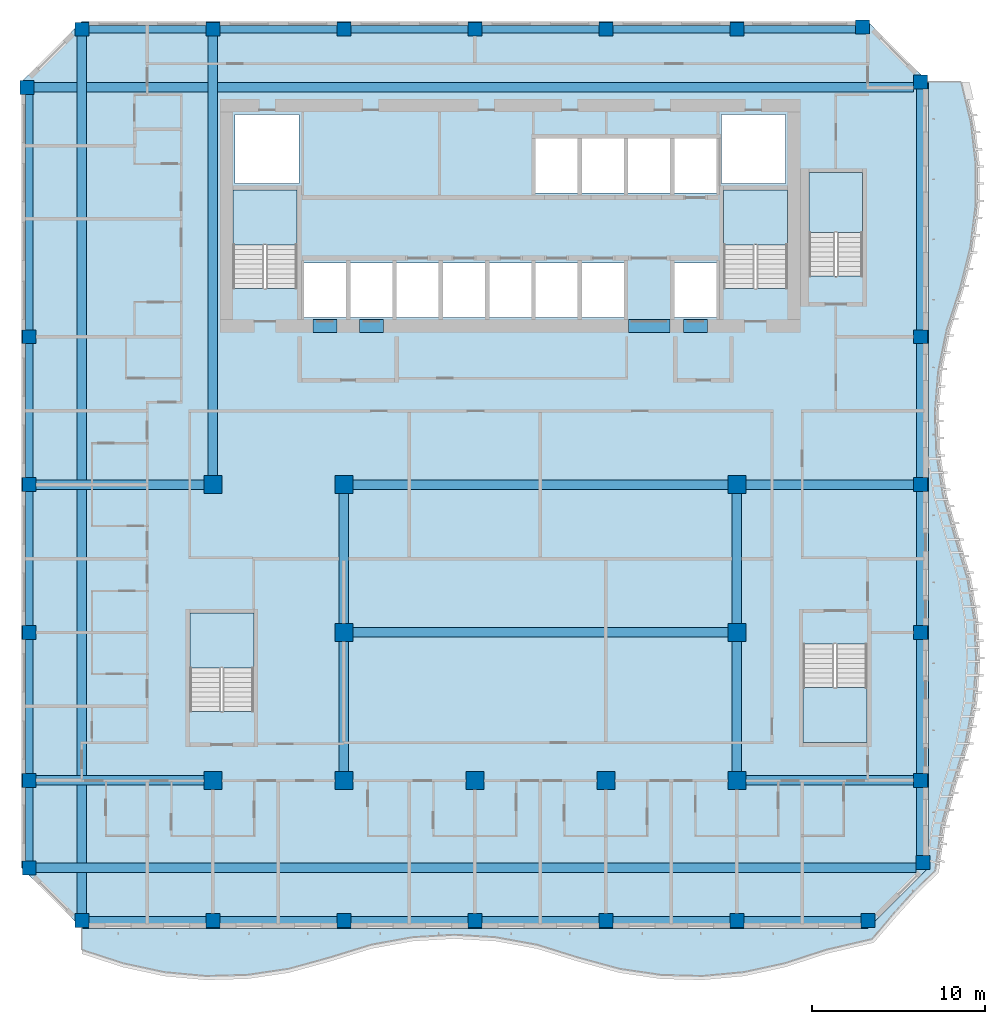
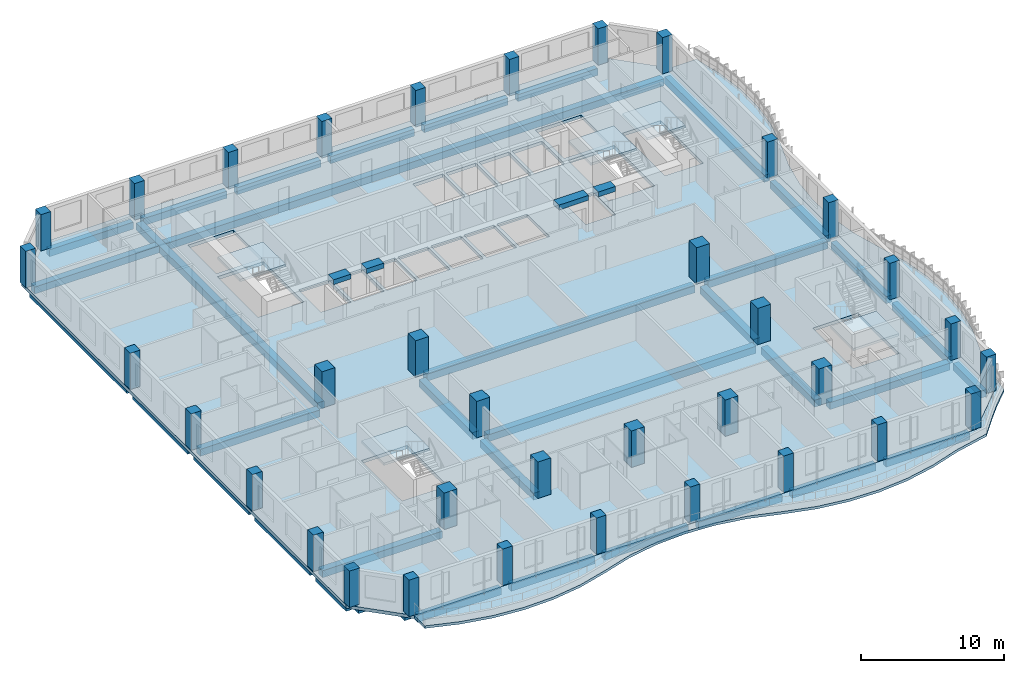
# One storey, part 1 of 22: 40 beams, 36 columns, 7 slabs, 5 elements without a shape of their own.
"""IFC4 building model written with IfcOpenShell, lengths in metres."""

import ifcopenshell
import ifcopenshell.guid

model = None  # the IFC model being written
_history = None  # IfcOwnerHistory: only IFC2X3 demands one
_inside = {}  # id of a spatial element -> (the spatial element, [elements in it])
_under = {}  # id of a project, library or spatial element -> (it, [spatial elements below it])
_declared = {}  # id of a project -> (the project, [libraries it declares])
_typed = {}  # id of a type object -> (the type object, [elements of that type])
_made_of = {}  # id of a material, layer set ... -> (it, [elements and type objects made of it])


def new_model(schema):
    """Start an empty IFC model of exactly this schema.

    Asked for "IFC4X3", IfcOpenShell would pick the latest addendum, in which some entities
    have other attributes; the version numbers below select the first issue.
    IFC2X3 requires an IfcOwnerHistory on every rooted entity: one is made here for all.
    """
    global model, _history
    if schema == "IFC4X3":
        model = ifcopenshell.file(schema_version=(4, 3, 0, 0))
    else:
        model = ifcopenshell.file(schema=schema)
    _inside.clear()
    _under.clear()
    _declared.clear()
    _typed.clear()
    _made_of.clear()
    _history = None
    if model.schema == "IFC2X3":
        org = make("IfcOrganization", Name="unknown")
        user = make(
            "IfcPersonAndOrganization",
            ThePerson=make("IfcPerson", FamilyName="unknown"),
            TheOrganization=org,
        )
        app = make(
            "IfcApplication",
            ApplicationDeveloper=org,
            Version="unknown",
            ApplicationFullName="unknown",
            ApplicationIdentifier="unknown",
        )
        _history = make(
            "IfcOwnerHistory",
            OwningUser=user,
            OwningApplication=app,
            ChangeAction="ADDED",
            CreationDate=0,
        )
    return model


def make(cls, **values):
    """One entity of the class cls with the attributes given. An attribute that is None is left unset."""
    return model.create_entity(
        cls, **{name: value for name, value in values.items() if value is not None}
    )


def rooted(cls, **values):
    """An entity with a GlobalId (a new one), such as an element, a storey or a relation."""
    return make(cls, GlobalId=ifcopenshell.guid.new(), OwnerHistory=_history, **values)


def si_unit(unit_type, name, prefix=None):
    """IfcSIUnit, for example si_unit("LENGTHUNIT", "METRE", prefix="MILLI")."""
    return make("IfcSIUnit", UnitType=unit_type, Prefix=prefix, Name=name)


def assignment(units):
    """IfcUnitAssignment: the units of a project."""
    return None if units is None else make("IfcUnitAssignment", Units=units)


def point(xyz):
    """IfcCartesianPoint."""
    return None if xyz is None else make("IfcCartesianPoint", Coordinates=xyz)


def direction(xyz):
    """IfcDirection."""
    return None if xyz is None else make("IfcDirection", DirectionRatios=xyz)


def frame(location, z_axis=None, x_axis=None):
    """IfcAxis2Placement3D, a coordinate frame: its origin and axes. An axis left out is left unset."""
    return make(
        "IfcAxis2Placement3D",
        Location=point(location),
        Axis=direction(z_axis),
        RefDirection=direction(x_axis),
    )


def frame_2d(location, x_axis=None):
    """IfcAxis2Placement2D, a coordinate frame in the plane: its origin and x axis."""
    return make(
        "IfcAxis2Placement2D", Location=point(location), RefDirection=direction(x_axis)
    )


def origin():
    """The frame at (0, 0, 0) with its axes left unset."""
    return frame((0.0, 0.0, 0.0))


def origin_2d():
    """The frame at (0, 0) in the plane with its x axis left unset."""
    return frame_2d((0.0, 0.0))


def place(relative_to, where):
    """IfcLocalPlacement: puts the frame where relative to a parent placement (None: the world)."""
    return make(
        "IfcLocalPlacement", PlacementRelTo=relative_to, RelativePlacement=where
    )


def context(
    kind, dimensions, precision=None, world=None, true_north=None, identifier=None
):
    """IfcGeometricRepresentationContext, for example the 3D "Model" context."""
    return make(
        "IfcGeometricRepresentationContext",
        ContextIdentifier=identifier,
        ContextType=kind,
        CoordinateSpaceDimension=dimensions,
        Precision=precision,
        WorldCoordinateSystem=world,
        TrueNorth=true_north,
    )


def subcontext(parent, identifier, kind, view, scale=None):
    """IfcGeometricRepresentationSubContext, for example "Body" below "Model"."""
    return make(
        "IfcGeometricRepresentationSubContext",
        ContextIdentifier=identifier,
        ContextType=kind,
        ParentContext=parent,
        TargetScale=scale,
        TargetView=view,
    )


def project(units=None, contexts=None):
    """IfcProject with its units and contexts."""
    return rooted(
        "IfcProject",
        Name="project",
        RepresentationContexts=contexts,
        UnitsInContext=assignment(units),
    )


def spatial(cls, under=None, at=None, **own):
    """A site, building, storey or space (cls), placed at a placement, below another one or the project."""
    s = rooted(cls, ObjectPlacement=at, **own)
    if under is not None:
        _under.setdefault(under.id(), (under, []))[1].append(s)
    return s


def polyline(points):
    """IfcPolyline through the points."""
    return make("IfcPolyline", Points=[point(p) for p in points])


def profile(cls, at=None, kind="AREA", **sizes):
    """A parametric profile (cls). Its sizes go by their IFC names, for example OverallWidth=200.0."""
    return make(cls, ProfileType=kind, Position=at, **sizes)


def rectangle(**sizes):
    """IfcRectangleProfileDef."""
    return profile("IfcRectangleProfileDef", **sizes)


def outline(outer, holes=None, kind="AREA"):
    """IfcArbitraryClosedProfileDef: a profile drawn as a closed curve; with holes, ...WithVoids."""
    if holes is None:
        return make("IfcArbitraryClosedProfileDef", ProfileType=kind, OuterCurve=outer)
    return make(
        "IfcArbitraryProfileDefWithVoids",
        ProfileType=kind,
        OuterCurve=outer,
        InnerCurves=holes,
    )


def extrude(swept, where, along, depth):
    """IfcExtrudedAreaSolid: the profile swept, set in the frame where, extruded along a direction by depth."""
    return make(
        "IfcExtrudedAreaSolid",
        SweptArea=swept,
        Position=where,
        ExtrudedDirection=direction(along),
        Depth=depth,
    )


def shape(context_of_items, identifier, shape_type, items):
    """IfcShapeRepresentation: the items that make up one representation, for example the "Body"."""
    return make(
        "IfcShapeRepresentation",
        ContextOfItems=context_of_items,
        RepresentationIdentifier=identifier,
        RepresentationType=shape_type,
        Items=items,
    )


def source(mapping_origin, context_of_items, identifier, shape_type, items):
    """IfcRepresentationMap: a shape defined once, which mapped items show again and again."""
    return make(
        "IfcRepresentationMap",
        MappingOrigin=mapping_origin,
        MappedRepresentation=shape(context_of_items, identifier, shape_type, items),
    )


def transform(
    local_origin,
    x_axis=None,
    y_axis=None,
    z_axis=None,
    scale=None,
    scale2=None,
    scale3=None,
    uniform=True,
):
    """IfcCartesianTransformationOperator3D, or its non-uniform kind. x_axis, y_axis, z_axis: its Axis1, 2, 3."""
    if uniform:
        return make(
            "IfcCartesianTransformationOperator3D",
            Axis1=direction(x_axis),
            Axis2=direction(y_axis),
            LocalOrigin=point(local_origin),
            Scale=scale,
            Axis3=direction(z_axis),
        )
    return make(
        "IfcCartesianTransformationOperator3DnonUniform",
        Axis1=direction(x_axis),
        Axis2=direction(y_axis),
        LocalOrigin=point(local_origin),
        Scale=scale,
        Axis3=direction(z_axis),
        Scale2=scale2,
        Scale3=scale3,
    )


def mapped(mapping_source, mapping_target):
    """IfcMappedItem: shows the shape of a source again, moved by a transform."""
    return make(
        "IfcMappedItem", MappingSource=mapping_source, MappingTarget=mapping_target
    )


def material(Name=None, Category=None):
    """IfcMaterial."""
    return make("IfcMaterial", Name=Name, Category=Category)


def layer(
    of_material, thickness, ventilated=None, Name=None, Category=None, Priority=None
):
    """IfcMaterialLayer: one layer of a wall or slab, of a material (None: an air gap)."""
    return make(
        "IfcMaterialLayer",
        Material=of_material,
        LayerThickness=thickness,
        IsVentilated=ventilated,
        Name=Name,
        Category=Category,
        Priority=Priority,
    )


def layer_set(layers, Name=None):
    """IfcMaterialLayerSet."""
    return make("IfcMaterialLayerSet", MaterialLayers=layers, LayerSetName=Name)


def material_profile(
    of_material, cross_section, Name=None, Category=None, Priority=None
):
    """IfcMaterialProfile: a cross section and its material."""
    return make(
        "IfcMaterialProfile",
        Name=Name,
        Material=of_material,
        Profile=cross_section,
        Priority=Priority,
        Category=Category,
    )


def profile_set(profiles, Name=None, composite=None):
    """IfcMaterialProfileSet."""
    return make(
        "IfcMaterialProfileSet",
        Name=Name,
        MaterialProfiles=profiles,
        CompositeProfile=composite,
    )


def made_of(thing, what):
    """Note that an element or type object is made of a material, layer set ...; save() writes the relation."""
    if what is not None:
        _made_of.setdefault(what.id(), (what, []))[1].append(thing)
    return thing


def type_object(cls, material=None, **own):
    """A type object (cls), such as IfcWallType, which elements share."""
    return made_of(rooted(cls, **own), material)


def element(
    cls,
    number,
    at=None,
    inside=None,
    cuts=None,
    type_object=None,
    material=None,
    context=None,
    identifier="Body",
    shape_type=None,
    held_by="IfcProductDefinitionShape",
    body=None,
    shapes=None,
    **own,
):
    """One element of the class cls, such as IfcWall. Its Tag is "e" and its number.

    at: its placement. inside: the storey or other place that contains it. cuts: it is an
    opening in that element (IfcRelVoidsElement). A single representation is given by context,
    identifier, shape_type and body (its items); several are given by shapes. held_by: the class
    of the entity that holds the representations. save() writes the other relations.
    """
    e = rooted(cls, Tag="e%d" % number, ObjectPlacement=at, **own)
    if body is not None:
        shapes = [shape(context, identifier, shape_type, body)]
    if shapes is not None:
        e.Representation = make(held_by, Representations=shapes)
    if inside is not None:
        _inside.setdefault(inside.id(), (inside, []))[1].append(e)
    if cuts is not None:
        rooted(
            "IfcRelVoidsElement", RelatingBuildingElement=cuts, RelatedOpeningElement=e
        )
    if type_object is not None:
        _typed.setdefault(type_object.id(), (type_object, []))[1].append(e)
    return made_of(e, material)


def aggregate(whole, parts):
    """IfcRelAggregates: a whole, such as a stair, and the parts it consists of."""
    return rooted("IfcRelAggregates", RelatingObject=whole, RelatedObjects=parts)


def save(model, path):
    """Write the relations noted so far, then the file.

    IfcRelAggregates (storeys below a building ...), IfcRelContainedInSpatialStructure (elements
    in a storey), IfcRelDefinesByType, IfcRelAssociatesMaterial and IfcRelDeclares: one each for
    every whole, place, type object, material and project.
    """
    for whole, parts in _under.values():
        aggregate(whole, parts)
    for where, things in _inside.values():
        rooted(
            "IfcRelContainedInSpatialStructure",
            RelatedElements=things,
            RelatingStructure=where,
        )
    for kind, things in _typed.values():
        rooted("IfcRelDefinesByType", RelatedObjects=things, RelatingType=kind)
    for what, things in _made_of.values():
        rooted("IfcRelAssociatesMaterial", RelatedObjects=things, RelatingMaterial=what)
    for by, libraries in _declared.values():
        rooted("IfcRelDeclares", RelatingContext=by, RelatedDefinitions=libraries)
    model.write(path)


model = new_model("IFC4")

# Units and contexts
model_context = context("Model", 3, precision=1e-05, world=origin(), true_north=direction((0.0, 1.0)))
body_context = subcontext(model_context, "Body", "Model", "MODEL_VIEW")
ifc_project = project(units=[si_unit("LENGTHUNIT", "METRE"), si_unit("AREAUNIT", "SQUARE_METRE"), si_unit("VOLUMEUNIT", "CUBIC_METRE"), si_unit("PLANEANGLEUNIT", "RADIAN"), si_unit("MASSUNIT", "GRAM", prefix="KILO")], contexts=[model_context])

# Site, building, storey
site_placement = place(None, origin())
site = spatial("IfcSite", under=ifc_project, at=site_placement, CompositionType="ELEMENT")
building_placement = place(site_placement, origin())
building = spatial("IfcBuilding", under=site, at=building_placement, Name="Kilnfold Tower and Market Hall", CompositionType="ELEMENT")
storey_placement = place(building_placement, frame((0.0, 0.0, 188.89990234375)))
storey = spatial("IfcBuildingStorey", under=building, at=storey_placement, Name="L45", CompositionType="ELEMENT", Elevation=188.89990234375)

# Columns
ifc_material_1 = material(Name="Concrete C70", Category="concrete")
ifc_material_profile_1 = material_profile(ifc_material_1, rectangle(XDim=0.800048828125, YDim=0.800048828125, at=origin_2d()), Name="RC 800x800")
ifc_profile_set_1 = profile_set([ifc_material_profile_1], Name="Concrete C70")
column_type_1 = type_object("IfcColumnType", Name="COLUMN 800X800 C70", PredefinedType="COLUMN", material=ifc_profile_set_1)
shared_shape_1 = source(origin(), body_context, "Body", "SweptSolid", [
    extrude(rectangle(XDim=0.800048828125, YDim=0.800048828125, at=origin_2d()), origin(), (0.0, 0.0, 1.0), 3.1201171875),
])
for number, where, z_axis, x_axis, name in (
    (1, (-26.931884765625, 22.431884765625, 0.0), (0.0, 0.0, 1.0), (1.0, 0.0, 0.0), "Column C-B5-1H"),
    (2, (-26.800048828125, -22.75, 0.0), (0.0, 0.0, 1.0), (1.0, 0.0, 0.0), "Column C-B5-1B"),
    (3, (-26.800048828125, -17.6875, 0.0), (0.0, 0.0, 1.0), (1.0, 0.0, 0.0), "Column C-B5-1C"),
    (4, (-26.800048828125, -9.125, 0.0), (0.0, 0.0, 1.0), (1.0, 0.0, 0.0), "Column C-B5-1D"),
    (5, (-26.800048828125, -0.5625, 0.0), (0.0, 0.0, 1.0), (1.0, 0.0, 0.0), "Column C-B5-1E"),
    (6, (-26.800048828125, 8.0, 0.0), (0.0, 0.0, 1.0), (1.0, 0.0, 0.0), "Column C-B5-1F"),
    (7, (-23.75, -25.800048828125, 0.0), (0.0, 0.0, 1.0), (1.0, 0.0, 0.0), "Column C-B5-2A"),
    (8, (-23.75, 25.800048828125, 0.0), (0.0, 0.0, 1.0), (1.0, 0.0, 0.0), "Column C-B5-2I"),
    (9, (-16.166748046875, -25.800048828125, 0.0), (0.0, 0.0, 1.0), (1.0, 0.0, 0.0), "Column C-B5-3A"),
    (10, (-16.166748046875, 25.800048828125, 0.0), (0.0, 0.0, 1.0), (1.0, 0.0, 0.0), "Column C-B5-3I"),
    (11, (-8.583251953125, -25.800048828125, 0.0), (0.0, 0.0, 1.0), (1.0, 0.0, 0.0), "Column C-B5-4A"),
    (12, (-8.583251953125, 25.800048828125, 0.0), (0.0, 0.0, 1.0), (1.0, 0.0, 0.0), "Column C-B5-4I"),
    (13, (-1.0, -25.800048828125, 0.0), (0.0, 0.0, 1.0), (1.0, 0.0, 0.0), "Column C-B5-5A"),
    (14, (-1.0, 25.800048828125, 0.0), (0.0, 0.0, 1.0), (1.0, 0.0, 0.0), "Column C-B5-5I"),
    (15, (6.583251953125, -25.800048828125, 0.0), (0.0, 0.0, 1.0), (1.0, 0.0, 0.0), "Column C-B5-6A"),
    (16, (6.583251953125, 25.800048828125, 0.0), (0.0, 0.0, 1.0), (1.0, 0.0, 0.0), "Column C-B5-6I"),
    (17, (14.166748046875, -25.800048828125, 0.0), (0.0, 0.0, 1.0), (1.0, 0.0, 0.0), "Column C-B5-7A"),
    (18, (14.166748046875, 25.800048828125, 0.0), (0.0, 0.0, 1.0), (1.0, 0.0, 0.0), "Column C-B5-7I"),
    (19, (21.431884765625, 25.931884765625, 0.0), (0.0, 0.0, 1.0), (1.0, 0.0, 0.0), "Column C-B5-8I"),
    (20, (21.75, -25.800048828125, 0.0), (0.0, 0.0, 1.0), (1.0, 0.0, 0.0), "Column C-B5-8A"),
    (21, (24.800048828125, -17.6875, 0.0), (0.0, 0.0, 1.0), (1.0, 0.0, 0.0), "Column C-B5-9C"),
    (22, (24.800048828125, -9.125, 0.0), (0.0, 0.0, 1.0), (1.0, 0.0, 0.0), "Column C-B5-9D"),
    (23, (24.800048828125, -0.5625, 0.0), (0.0, 0.0, 1.0), (1.0, 0.0, 0.0), "Column C-B5-9E"),
    (24, (24.800048828125, 8.0, 0.0), (0.0, 0.0, 1.0), (1.0, 0.0, 0.0), "Column C-B5-9F"),
    (25, (24.800048828125, 22.75, 0.0), (0.0, 0.0, 1.0), (1.0, 0.0, 0.0), "Column C-B5-9H"),
    (26, (24.931884765625, -22.431884765625, 0.0), (0.0, 0.0, 1.0), (1.0, 0.0, 0.0), "Column C-B5-9B"),
):
    element("IfcColumn", number, at=place(storey_placement, frame(where, z_axis=z_axis, x_axis=x_axis)), inside=storey, type_object=column_type_1, Name=name, PredefinedType="COLUMN", context=body_context, shape_type="MappedRepresentation", body=[
        mapped(shared_shape_1, transform((0.0, 0.0, 0.0))),
    ])
ifc_material_2 = material(Name="Concrete C70", Category="concrete")
ifc_material_profile_2 = material_profile(ifc_material_2, rectangle(XDim=1.050048828125, YDim=1.050048828125, at=origin_2d()), Name="RC 1050x1050")
ifc_profile_set_2 = profile_set([ifc_material_profile_2], Name="Concrete C70")
column_type_2 = type_object("IfcColumnType", Name="COLUMN 1050X1050 C70", PredefinedType="COLUMN", material=ifc_profile_set_2)
shared_shape_2 = source(origin(), body_context, "Body", "SweptSolid", [
    extrude(rectangle(XDim=1.050048828125, YDim=1.050048828125, at=origin_2d()), origin(), (0.0, 0.0, 1.0), 3.1201171875),
])
for number, where, z_axis, x_axis, name in (
    (27, (-16.166748046875, -17.6875, 0.0), (0.0, 0.0, 1.0), (1.0, 0.0, 0.0), "Column C-B5-3C"),
    (28, (-16.166748046875, -0.5625, 0.0), (0.0, 0.0, 1.0), (1.0, 0.0, 0.0), "Column C-B5-3E"),
    (29, (-8.583251953125, -17.6875, 0.0), (0.0, 0.0, 1.0), (1.0, 0.0, 0.0), "Column C-B5-4C"),
    (30, (-8.583251953125, -9.125, 0.0), (0.0, 0.0, 1.0), (1.0, 0.0, 0.0), "Column C-B5-4D"),
    (31, (-8.583251953125, -0.5625, 0.0), (0.0, 0.0, 1.0), (1.0, 0.0, 0.0), "Column C-B5-4E"),
    (32, (-1.0, -17.6875, 0.0), (0.0, 0.0, 1.0), (1.0, 0.0, 0.0), "Column C-B5-5C"),
    (33, (6.583251953125, -17.6875, 0.0), (0.0, 0.0, 1.0), (1.0, 0.0, 0.0), "Column C-B5-6C"),
    (34, (14.166748046875, -17.6875, 0.0), (0.0, 0.0, 1.0), (1.0, 0.0, 0.0), "Column C-B5-7C"),
    (35, (14.166748046875, -9.125, 0.0), (0.0, 0.0, 1.0), (1.0, 0.0, 0.0), "Column C-B5-7D"),
    (36, (14.166748046875, -0.5625, 0.0), (0.0, 0.0, 1.0), (1.0, 0.0, 0.0), "Column C-B5-7E"),
):
    element("IfcColumn", number, at=place(storey_placement, frame(where, z_axis=z_axis, x_axis=x_axis)), inside=storey, type_object=column_type_2, Name=name, PredefinedType="COLUMN", context=body_context, shape_type="MappedRepresentation", body=[
        mapped(shared_shape_2, transform((0.0, 0.0, 0.0))),
    ])

# Beams
ifc_material_3 = material(Name="Concrete C45", Category="concrete")
ifc_material_profile_3 = material_profile(ifc_material_3, rectangle(XDim=0.449951171875, YDim=0.60009765625, at=origin_2d()), Name="RC 450x600")
ifc_profile_set_3 = profile_set([ifc_material_profile_3], Name="Concrete C45")
beam_type_1 = type_object("IfcBeamType", Name="EDGE BEAM 450X600 C45", PredefinedType="BEAM", material=ifc_profile_set_3)
shared_shape_3 = source(origin(), body_context, "Body", "SweptSolid", [
    extrude(rectangle(XDim=0.449951171875, YDim=0.60009765625, at=origin_2d()), origin(), (0.0, 0.0, 1.0), 6.783447265625),
])
for number, where, z_axis, x_axis, name in (
    (37, (-23.35009765625, -25.800048828125, -0.579833984375), (1.0, 0.0, 0.0), (0.0, 1.0, 0.0), "Beam EB600-B5.45"),
    (38, (-8.183349609375, -25.800048828125, -0.579833984375), (1.0, 0.0, 0.0), (0.0, 1.0, 0.0), "Beam EB600-B5.47"),
    (39, (-0.60009765625, -25.800048828125, -0.579833984375), (1.0, 0.0, 0.0), (0.0, 1.0, 0.0), "Beam EB600-B5.48"),
    (40, (14.566650390625, -25.800048828125, -0.579833984375), (1.0, 0.0, 0.0), (0.0, 1.0, 0.0), "Beam EB600-B5.50"),
    (41, (-23.35009765625, 25.800048828125, -0.579833984375), (1.0, 0.0, 0.0), (0.0, 1.0, 0.0), "Beam EB600-B5.59"),
    (42, (-8.183349609375, 25.800048828125, -0.579833984375), (1.0, 0.0, 0.0), (0.0, 1.0, 0.0), "Beam EB600-B5.61"),
    (43, (-0.60009765625, 25.800048828125, -0.579833984375), (1.0, 0.0, 0.0), (0.0, 1.0, 0.0), "Beam EB600-B5.62"),
):
    element("IfcBeam", number, at=place(storey_placement, frame(where, z_axis=z_axis, x_axis=x_axis)), inside=storey, type_object=beam_type_1, Name=name, PredefinedType="BEAM", context=body_context, shape_type="MappedRepresentation", body=[
        mapped(shared_shape_3, transform((0.0, 0.0, 0.0))),
    ])
shared_shape_4 = source(origin(), body_context, "Body", "SweptSolid", [
    extrude(rectangle(XDim=0.449951171875, YDim=0.60009765625, at=origin_2d()), origin(), (0.0, 0.0, 1.0), 6.783203125),
])
for number, where, z_axis, x_axis, name in (
    (44, (-15.7666015625, -25.800048828125, -0.579833984375), (1.0, 0.0, 0.0), (0.0, 1.0, 0.0), "Beam EB600-B5.46"),
    (45, (6.9833984375, -25.800048828125, -0.579833984375), (1.0, 0.0, 0.0), (0.0, 1.0, 0.0), "Beam EB600-B5.49"),
    (46, (-15.7666015625, 25.800048828125, -0.579833984375), (1.0, 0.0, 0.0), (0.0, 1.0, 0.0), "Beam EB600-B5.60"),
    (47, (6.9833984375, 25.800048828125, -0.579833984375), (1.0, 0.0, 0.0), (0.0, 1.0, 0.0), "Beam EB600-B5.63"),
):
    element("IfcBeam", number, at=place(storey_placement, frame(where, z_axis=z_axis, x_axis=x_axis)), inside=storey, type_object=beam_type_1, Name=name, PredefinedType="BEAM", context=body_context, shape_type="MappedRepresentation", body=[
        mapped(shared_shape_4, transform((0.0, 0.0, 0.0))),
    ])
ifc_material_4 = material(Name="Concrete C45", Category="concrete")
ifc_material_profile_4 = material_profile(ifc_material_4, rectangle(XDim=0.550048828125, YDim=0.60009765625, at=origin_2d()), Name="RC 550x600")
ifc_profile_set_4 = profile_set([ifc_material_profile_4], Name="Concrete C45")
beam_type_2 = type_object("IfcBeamType", Name="BEAM 550X600 C45", PredefinedType="BEAM", material=ifc_profile_set_4)
shared_shape_5 = source(origin(), body_context, "Body", "SweptSolid", [
    extrude(rectangle(XDim=0.550048828125, YDim=0.60009765625, at=origin_2d()), origin(), (0.0, 0.0, 1.0), 50.931640625),
])
for number, where, z_axis, x_axis, name in (
    (48, (-26.39990234375, -22.75, -0.579833984375), (1.0, 0.0, 0.0), (0.0, 1.0, 0.0), "Beam BB600-B5.51"),
    (49, (-26.53173828125, 22.429931640625, -0.579833984375), (1.0, 0.0, 0.0), (0.0, 1.0, 0.0), "Beam BB600-B5.58"),
):
    element("IfcBeam", number, at=place(storey_placement, frame(where, z_axis=z_axis, x_axis=x_axis)), inside=storey, type_object=beam_type_2, Name=name, PredefinedType="BEAM", context=body_context, shape_type="MappedRepresentation", body=[
        mapped(shared_shape_5, transform((0.0, 0.0, 0.0))),
    ])
shared_shape_6 = source(origin(), body_context, "Body", "SweptSolid", [
    extrude(rectangle(XDim=0.449951171875, YDim=0.60009765625, at=origin_2d()), origin(), (0.0, 0.0, 1.0), 6.465087890625),
])
beam_1_placement = place(storey_placement, frame((14.566650390625, 25.800048828125, -0.579833984375), z_axis=(1.0, 0.0, 0.0), x_axis=(0.0, 1.0, 0.0)))
element("IfcBeam", 50, at=beam_1_placement, inside=storey, type_object=beam_type_1, Name="Beam EB600-B5.64", PredefinedType="BEAM", context=body_context, shape_type="MappedRepresentation", body=[
    mapped(shared_shape_6, transform((0.0, 0.0, 0.0))),
])
shared_shape_7 = source(origin(), body_context, "Body", "SweptSolid", [
    extrude(rectangle(XDim=0.550048828125, YDim=0.60009765625, at=origin_2d()), origin(), (0.0, 0.0, 1.0), 50.7998046875),
])
beam_2_placement = place(storey_placement, frame((-23.75, -25.39990234375, -0.579833984375), z_axis=(0.0, 1.0, 0.0), x_axis=(-1.0, 0.0, 0.0)))
element("IfcBeam", 51, at=beam_2_placement, inside=storey, type_object=beam_type_2, Name="Beam BB600-B5.70", PredefinedType="BEAM", context=body_context, shape_type="MappedRepresentation", body=[
    mapped(shared_shape_7, transform((0.0, 0.0, 0.0))),
])
shared_shape_8 = source(origin(), body_context, "Body", "SweptSolid", [
    extrude(rectangle(XDim=0.550048828125, YDim=0.60009765625, at=origin_2d()), origin(), (0.0, 0.0, 1.0), 9.708251953125),
])
for number, where, z_axis, x_axis, name in (
    (52, (-26.39990234375, -17.68994140625, -0.579833984375), (1.0, 0.0, 0.0), (0.0, 1.0, 0.0), "Beam BB600-B5.52"),
    (53, (14.691650390625, -17.68994140625, -0.579833984375), (1.0, 0.0, 0.0), (0.0, 1.0, 0.0), "Beam BB600-B5.53"),
    (54, (-26.39990234375, -0.56005859375, -0.579833984375), (1.0, 0.0, 0.0), (0.0, 1.0, 0.0), "Beam BB600-B5.55"),
    (55, (14.691650390625, -0.56005859375, -0.579833984375), (1.0, 0.0, 0.0), (0.0, 1.0, 0.0), "Beam BB600-B5.57"),
):
    element("IfcBeam", number, at=place(storey_placement, frame(where, z_axis=z_axis, x_axis=x_axis)), inside=storey, type_object=beam_type_2, Name=name, PredefinedType="BEAM", context=body_context, shape_type="MappedRepresentation", body=[
        mapped(shared_shape_8, transform((0.0, 0.0, 0.0))),
    ])
shared_shape_9 = source(origin(), body_context, "Body", "SweptSolid", [
    extrude(rectangle(XDim=0.550048828125, YDim=0.60009765625, at=origin_2d()), origin(), (0.0, 0.0, 1.0), 21.699951171875),
])
for number, where, z_axis, x_axis, name in (
    (56, (-8.058349609375, -9.1201171875, -0.579833984375), (1.0, 0.0, 0.0), (0.0, 1.0, 0.0), "Beam BB600-B5.54"),
    (57, (-8.058349609375, -0.56005859375, -0.579833984375), (1.0, 0.0, 0.0), (0.0, 1.0, 0.0), "Beam BB600-B5.56"),
):
    element("IfcBeam", number, at=place(storey_placement, frame(where, z_axis=z_axis, x_axis=x_axis)), inside=storey, type_object=beam_type_2, Name=name, PredefinedType="BEAM", context=body_context, shape_type="MappedRepresentation", body=[
        mapped(shared_shape_9, transform((0.0, 0.0, 0.0))),
    ])
shared_shape_10 = source(origin(), body_context, "Body", "SweptSolid", [
    extrude(rectangle(XDim=0.449951171875, YDim=0.60009765625, at=origin_2d()), origin(), (0.0, 0.0, 1.0), 4.2626953125),
])
beam_3_placement = place(storey_placement, frame((-26.800048828125, -22.35009765625, -0.579833984375), z_axis=(0.0, 1.0, 0.0), x_axis=(-1.0, 0.0, 0.0)))
element("IfcBeam", 58, at=beam_3_placement, inside=storey, type_object=beam_type_1, Name="Beam EB600-B5.65", PredefinedType="BEAM", context=body_context, shape_type="MappedRepresentation", body=[
    mapped(shared_shape_10, transform((0.0, 0.0, 0.0))),
])
shared_shape_11 = source(origin(), body_context, "Body", "SweptSolid", [
    extrude(rectangle(XDim=0.449951171875, YDim=0.60009765625, at=origin_2d()), origin(), (0.0, 0.0, 1.0), 7.7626953125),
])
for number, where, z_axis, x_axis, name in (
    (59, (-26.800048828125, -17.28759765625, -0.579833984375), (0.0, 1.0, 0.0), (-1.0, 0.0, 0.0), "Beam EB600-B5.66"),
    (60, (-26.800048828125, -8.72509765625, -0.579833984375), (0.0, 1.0, 0.0), (-1.0, 0.0, 0.0), "Beam EB600-B5.67"),
    (61, (-26.800048828125, -0.16259765625, -0.579833984375), (0.0, 1.0, 0.0), (-1.0, 0.0, 0.0), "Beam EB600-B5.68"),
    (62, (24.800048828125, -17.28759765625, -0.579833984375), (0.0, 1.0, 0.0), (-1.0, 0.0, 0.0), "Beam EB600-B5.76"),
    (63, (24.800048828125, -8.72509765625, -0.579833984375), (0.0, 1.0, 0.0), (-1.0, 0.0, 0.0), "Beam EB600-B5.77"),
    (64, (24.800048828125, -0.16259765625, -0.579833984375), (0.0, 1.0, 0.0), (-1.0, 0.0, 0.0), "Beam EB600-B5.78"),
):
    element("IfcBeam", number, at=place(storey_placement, frame(where, z_axis=z_axis, x_axis=x_axis)), inside=storey, type_object=beam_type_1, Name=name, PredefinedType="BEAM", context=body_context, shape_type="MappedRepresentation", body=[
        mapped(shared_shape_11, transform((0.0, 0.0, 0.0))),
    ])
shared_shape_12 = source(origin(), body_context, "Body", "SweptSolid", [
    extrude(rectangle(XDim=0.449951171875, YDim=0.60009765625, at=origin_2d()), origin(), (0.0, 0.0, 1.0), 13.6318359375),
])
beam_4_placement = place(storey_placement, frame((-26.800048828125, 8.39990234375, -0.579833984375), z_axis=(0.0, 1.0, 0.0), x_axis=(-1.0, 0.0, 0.0)))
element("IfcBeam", 65, at=beam_4_placement, inside=storey, type_object=beam_type_1, Name="Beam EB600-B5.69", PredefinedType="BEAM", context=body_context, shape_type="MappedRepresentation", body=[
    mapped(shared_shape_12, transform((0.0, 0.0, 0.0))),
])
shared_shape_13 = source(origin(), body_context, "Body", "SweptSolid", [
    extrude(rectangle(XDim=0.550048828125, YDim=0.60009765625, at=origin_2d()), origin(), (0.0, 0.0, 1.0), 7.5126953125),
])
for number, where, z_axis, x_axis, name in (
    (66, (-8.580078125, -17.16259765625, -0.579833984375), (0.0, 1.0, 0.0), (-1.0, 0.0, 0.0), "Beam BB600-B5.71"),
    (67, (-8.580078125, -8.60009765625, -0.579833984375), (0.0, 1.0, 0.0), (-1.0, 0.0, 0.0), "Beam BB600-B5.72"),
    (68, (14.169921875, -17.16259765625, -0.579833984375), (0.0, 1.0, 0.0), (-1.0, 0.0, 0.0), "Beam BB600-B5.73"),
    (69, (14.169921875, -8.60009765625, -0.579833984375), (0.0, 1.0, 0.0), (-1.0, 0.0, 0.0), "Beam BB600-B5.74"),
):
    element("IfcBeam", number, at=place(storey_placement, frame(where, z_axis=z_axis, x_axis=x_axis)), inside=storey, type_object=beam_type_2, Name=name, PredefinedType="BEAM", context=body_context, shape_type="MappedRepresentation", body=[
        mapped(shared_shape_13, transform((0.0, 0.0, 0.0))),
    ])
shared_shape_14 = source(origin(), body_context, "Body", "SweptSolid", [
    extrude(rectangle(XDim=0.449951171875, YDim=0.60009765625, at=origin_2d()), origin(), (0.0, 0.0, 1.0), 3.9443359375),
])
beam_5_placement = place(storey_placement, frame((24.800048828125, -22.03173828125, -0.579833984375), z_axis=(0.0, 1.0, 0.0), x_axis=(-1.0, 0.0, 0.0)))
element("IfcBeam", 70, at=beam_5_placement, inside=storey, type_object=beam_type_1, Name="Beam EB600-B5.75", PredefinedType="BEAM", context=body_context, shape_type="MappedRepresentation", body=[
    mapped(shared_shape_14, transform((0.0, 0.0, 0.0))),
])
shared_shape_15 = source(origin(), body_context, "Body", "SweptSolid", [
    extrude(rectangle(XDim=0.449951171875, YDim=0.60009765625, at=origin_2d()), origin(), (0.0, 0.0, 1.0), 13.9501953125),
])
beam_6_placement = place(storey_placement, frame((24.800048828125, 8.39990234375, -0.579833984375), z_axis=(0.0, 1.0, 0.0), x_axis=(-1.0, 0.0, 0.0)))
element("IfcBeam", 71, at=beam_6_placement, inside=storey, type_object=beam_type_1, Name="Beam EB600-B5.79", PredefinedType="BEAM", context=body_context, shape_type="MappedRepresentation", body=[
    mapped(shared_shape_15, transform((0.0, 0.0, 0.0))),
])
ifc_material_5 = material(Name="Concrete C60", Category="concrete")
ifc_material_profile_5 = material_profile(ifc_material_5, rectangle(XDim=0.75, YDim=0.419921875, at=origin_2d()), Name="RC 750x420")
ifc_profile_set_5 = profile_set([ifc_material_profile_5], Name="Concrete C60")
beam_type_3 = type_object("IfcBeamType", Name="COUPLING BEAM 750X420 C60", PredefinedType="BEAM", material=ifc_profile_set_5)
shared_shape_16 = source(origin(), body_context, "Body", "SweptSolid", [
    extrude(rectangle(XDim=0.75, YDim=0.419921875, at=origin_2d()), origin(), (0.0, 0.0, 1.0), 1.400146484375),
])
beam_7_placement = place(storey_placement, frame((-10.3701171875, 8.625, 2.91015625), z_axis=(1.0, 0.0, 0.0), x_axis=(0.0, 1.0, 0.0)))
element("IfcBeam", 72, at=beam_7_placement, inside=storey, type_object=beam_type_3, Name="Coupling beam CB420-60-CORE.37", PredefinedType="BEAM", context=body_context, shape_type="MappedRepresentation", body=[
    mapped(shared_shape_16, transform((0.0, 0.0, 0.0))),
])
shared_shape_17 = source(origin(), body_context, "Body", "SweptSolid", [
    extrude(rectangle(XDim=0.75, YDim=0.419921875, at=origin_2d()), origin(), (0.0, 0.0, 1.0), 1.39990234375),
])
for number, where, z_axis, x_axis, name in (
    (73, (-7.68994140625, 8.625, 2.91015625), (1.0, 0.0, 0.0), (0.0, 1.0, 0.0), "Coupling beam CB420-60-CORE.38"),
    (74, (11.070068359375, 8.625, 2.91015625), (1.0, 0.0, 0.0), (0.0, 1.0, 0.0), "Coupling beam CB420-60-CORE.40"),
):
    element("IfcBeam", number, at=place(storey_placement, frame(where, z_axis=z_axis, x_axis=x_axis)), inside=storey, type_object=beam_type_3, Name=name, PredefinedType="BEAM", context=body_context, shape_type="MappedRepresentation", body=[
        mapped(shared_shape_17, transform((0.0, 0.0, 0.0))),
    ])
shared_shape_18 = source(origin(), body_context, "Body", "SweptSolid", [
    extrude(rectangle(XDim=0.75, YDim=0.419921875, at=origin_2d()), origin(), (0.0, 0.0, 1.0), 2.400146484375),
])
beam_8_placement = place(storey_placement, frame((7.889892578125, 8.625, 2.91015625), z_axis=(1.0, 0.0, 0.0), x_axis=(0.0, 1.0, 0.0)))
element("IfcBeam", 75, at=beam_8_placement, inside=storey, type_object=beam_type_3, Name="Coupling beam CB420-60-CORE.39", PredefinedType="BEAM", context=body_context, shape_type="MappedRepresentation", body=[
    mapped(shared_shape_18, transform((0.0, 0.0, 0.0))),
])
shared_shape_19 = source(origin(), body_context, "Body", "SweptSolid", [
    extrude(rectangle(XDim=0.550048828125, YDim=0.60009765625, at=origin_2d()), origin(), (0.0, 0.0, 1.0), 25.4375),
])
beam_9_placement = place(storey_placement, frame((-16.169921875, -0.03759765625, -0.579833984375), z_axis=(0.0, 1.0, 0.0), x_axis=(-1.0, 0.0, 0.0)))
element("IfcBeam", 76, at=beam_9_placement, inside=storey, type_object=beam_type_2, Name="Beam BB600-B5.80", PredefinedType="BEAM", context=body_context, shape_type="MappedRepresentation", body=[
    mapped(shared_shape_19, transform((0.0, 0.0, 0.0))),
])

# Slabs
ifc_material_6 = material(Name="Concrete C45", Category="concrete")
ifc_layer_1 = layer(ifc_material_6, 0.280029296875)
ifc_layer_set_1 = layer_set([ifc_layer_1], Name="Concrete C45")
slab_type_1 = type_object("IfcSlabType", Name="FLOOR SLAB 280", PredefinedType="FLOOR", material=ifc_layer_set_1)
shared_shape_20 = source(origin(), body_context, "Body", "SweptSolid", [
    extrude(outline(polyline([(-23.75, -26.25), (21.75, -26.25), (25.25, -22.75), (25.25, 22.75), (21.75, 26.25), (-23.75, 26.25), (-27.25, 22.75), (-27.25, -22.75), (-23.75, -26.25)]), holes=[polyline([(-13.800537109375, -13.699462890625), (-17.49951171875, -13.699462890625), (-17.49951171875, -8.00048828125), (-13.800537109375, -8.00048828125), (-13.800537109375, -13.699462890625)]), polyline([(-14.99951171875, 10.800537109375), (-14.99951171875, 16.49951171875), (-11.300537109375, 16.49951171875), (-11.300537109375, 10.800537109375), (-14.99951171875, 10.800537109375)]), polyline([(-11.175048828125, 16.875), (-14.875, 16.875), (-14.875, 20.875), (-11.175048828125, 20.875), (-11.175048828125, 16.875)]), polyline([(-8.455078125, 9.125), (-10.885009765625, 9.125), (-10.885009765625, 12.27490234375), (-8.455078125, 12.27490234375), (-8.455078125, 9.125)]), polyline([(-5.77490234375, 9.125), (-8.205078125, 9.125), (-8.205078125, 12.27490234375), (-5.77490234375, 12.27490234375), (-5.77490234375, 9.125)]), polyline([(-3.094970703125, 9.125), (-5.52490234375, 9.125), (-5.52490234375, 12.27490234375), (-3.094970703125, 12.27490234375), (-3.094970703125, 9.125)]), polyline([(-0.4150390625, 9.125), (-2.844970703125, 9.125), (-2.844970703125, 12.27490234375), (-0.4150390625, 12.27490234375), (-0.4150390625, 9.125)]), polyline([(2.264892578125, 9.125), (-0.1650390625, 9.125), (-0.1650390625, 12.27490234375), (2.264892578125, 12.27490234375), (2.264892578125, 9.125)]), polyline([(4.945068359375, 9.125), (2.514892578125, 9.125), (2.514892578125, 12.27490234375), (4.945068359375, 12.27490234375), (4.945068359375, 9.125)]), polyline([(2.514892578125, 16.324951171875), (2.514892578125, 19.47509765625), (4.945068359375, 19.47509765625), (4.945068359375, 16.324951171875), (2.514892578125, 16.324951171875)]), polyline([(7.625, 9.125), (5.195068359375, 9.125), (5.195068359375, 12.27490234375), (7.625, 12.27490234375), (7.625, 9.125)]), polyline([(7.625, 16.324951171875), (5.195068359375, 16.324951171875), (5.195068359375, 19.47509765625), (7.625, 19.47509765625), (7.625, 16.324951171875)]), polyline([(10.304931640625, 16.324951171875), (7.875, 16.324951171875), (7.875, 19.47509765625), (10.304931640625, 19.47509765625), (10.304931640625, 16.324951171875)]), polyline([(10.554931640625, 9.125), (10.554931640625, 12.27490234375), (12.985107421875, 12.27490234375), (12.985107421875, 9.125), (10.554931640625, 9.125)]), polyline([(10.554931640625, 16.324951171875), (10.554931640625, 19.47509765625), (12.985107421875, 19.47509765625), (12.985107421875, 16.324951171875), (10.554931640625, 16.324951171875)]), polyline([(13.27490234375, 16.875), (13.27490234375, 20.875), (16.97509765625, 20.875), (16.97509765625, 16.875), (13.27490234375, 16.875)]), polyline([(13.400390625, 10.800537109375), (13.400390625, 16.49951171875), (17.099609375, 16.49951171875), (17.099609375, 10.800537109375), (13.400390625, 10.800537109375)]), polyline([(18.00048828125, -9.800537109375), (21.699462890625, -9.800537109375), (21.699462890625, -15.49951171875), (18.00048828125, -15.49951171875), (18.00048828125, -9.800537109375)]), polyline([(21.449462890625, 11.50048828125), (18.3505859375, 11.50048828125), (18.3505859375, 17.49951171875), (21.449462890625, 17.49951171875), (21.449462890625, 11.50048828125)])]), origin(), (0.0, 0.0, 1.0), 0.280029296875),
])
slab_1_placement = place(storey_placement, frame((0.0, 0.0, -0.280029296875)))
element("IfcSlab", 77, at=slab_1_placement, inside=storey, type_object=slab_type_1, Name="Floor slab L45", PredefinedType="FLOOR", context=body_context, shape_type="MappedRepresentation", body=[
    mapped(shared_shape_20, transform((0.0, 0.0, 0.0))),
])
ifc_material_7 = material(Name="Concrete C40/50", Category="concrete")
ifc_layer_2 = layer(ifc_material_7, 0.219970703125)
ifc_layer_set_2 = layer_set([ifc_layer_2], Name="Concrete C40/50")
slab_type_2 = type_object("IfcSlabType", Name="BALCONY SLAB 220", PredefinedType="FLOOR", material=ifc_layer_set_2)
shared_shape_21 = source(origin(), body_context, "Body", "SweptSolid", [
    extrude(outline(polyline([(-23.75, -26.25), (21.75, -26.25), (25.25, -22.75), (25.25, 22.75), (27.37548828125, 22.75), (27.947509765625, 20.355224609375), (28.220703125, 17.96044921875), (28.20751953125, 15.56591796875), (27.906982421875, 13.171142578125), (27.305908203125, 10.7763671875), (26.535400390625, 8.381591796875), (26.0478515625, 5.98681640625), (25.8544921875, 3.592041015625), (25.946533203125, 1.197509765625), (26.328125, -1.197509765625), (27.0166015625, -3.592041015625), (27.729736328125, -5.98681640625), (28.13427734375, -8.381591796875), (28.24853515625, -10.7763671875), (28.077392578125, -13.171142578125), (27.613525390625, -15.56591796875), (26.854248046875, -17.96044921875), (26.228759765625, -20.355224609375), (25.855712890625, -23.0009765625), (24.508056640625, -24.34130859375), (23.398193359375, -25.564697265625), (22.093505859375, -27.07958984375), (19.355224609375, -27.716552734375), (16.96044921875, -28.495849609375), (14.56591796875, -29.01513671875), (12.171142578125, -29.23876953125), (9.7763671875, -29.176513671875), (7.381591796875, -28.82568359375), (4.98681640625, -28.170654296875), (2.592041015625, -27.429931640625), (0.197509765625, -26.994140625), (-2.197509765625, -26.85009765625), (-4.592041015625, -26.9912109375), (-6.98681640625, -27.423583984375), (-9.381591796875, -28.161865234375), (-11.7763671875, -28.8203125), (-14.171142578125, -29.17431640625), (-16.56591796875, -29.239501953125), (-18.96044921875, -29.01904296875), (-21.355224609375, -28.503173828125), (-23.75, -27.724365234375), (-23.75, -26.25)])), origin(), (0.0, 0.0, 1.0), 0.219970703125),
])
slab_2_placement = place(storey_placement, frame((0.0, 0.0, -0.219970703125)))
element("IfcSlab", 78, at=slab_2_placement, inside=storey, type_object=slab_type_2, Name="Balcony slab L45", PredefinedType="FLOOR", context=body_context, shape_type="MappedRepresentation", body=[
    mapped(shared_shape_21, transform((0.0, 0.0, 0.0))),
])

# Stair, slab
ifc_material_8 = material(Name="Concrete C40/50", Category="concrete")
stair_type_1 = type_object("IfcStairType", Name="CORE STAIR 1800", PredefinedType="HALF_TURN_STAIR", material=ifc_material_8)
stair_1_placement = place(storey_placement, origin())
stair_1 = element("IfcStair", 79, at=stair_1_placement, inside=storey, type_object=stair_type_1, Name="L45 ST1", PredefinedType="HALF_TURN_STAIR")
ifc_material_9 = material(Name="Concrete C40/50", Category="concrete")
ifc_layer_3 = layer(ifc_material_9, 0.199951171875)
ifc_layer_set_3 = layer_set([ifc_layer_3], Name="Concrete C40/50")
slab_type_3 = type_object("IfcSlabType", Name="CORE STAIR LANDING 200", PredefinedType="LANDING", material=ifc_layer_set_3)
shared_shape_22 = source(origin(), body_context, "Body", "SweptSolid", [
    extrude(outline(polyline([(-11.300048828125, 13.320068359375), (-11.300048828125, 16.5), (-15.0, 16.5), (-15.0, 13.320068359375), (-11.300048828125, 13.320068359375)])), origin(), (0.0, 0.0, 1.0), 0.2001953125),
])
slab_3_placement = place(storey_placement, frame((0.0, 0.0, 1.5)))
slab_3 = element("IfcSlab", 80, at=slab_3_placement, type_object=slab_type_3, Name="ST1 landing 1", PredefinedType="LANDING", context=body_context, shape_type="MappedRepresentation", body=[
    mapped(shared_shape_22, transform((0.0, 0.0, 0.0))),
])
aggregate(stair_1, [slab_3])

stair_2_placement = place(storey_placement, origin())
stair_2 = element("IfcStair", 81, at=stair_2_placement, inside=storey, type_object=stair_type_1, Name="L45 ST2", PredefinedType="HALF_TURN_STAIR")
shared_shape_23 = source(origin(), body_context, "Body", "SweptSolid", [
    extrude(outline(polyline([(17.10009765625, 13.320068359375), (17.10009765625, 16.5), (13.39990234375, 16.5), (13.39990234375, 13.320068359375), (17.10009765625, 13.320068359375)])), origin(), (0.0, 0.0, 1.0), 0.2001953125),
])
slab_4_placement = place(storey_placement, frame((0.0, 0.0, 1.5)))
slab_4 = element("IfcSlab", 82, at=slab_4_placement, type_object=slab_type_3, Name="ST2 landing 1", PredefinedType="LANDING", context=body_context, shape_type="MappedRepresentation", body=[
    mapped(shared_shape_23, transform((0.0, 0.0, 0.0))),
])
aggregate(stair_2, [slab_4])

stair_3_placement = place(storey_placement, origin())
stair_3 = element("IfcStair", 83, at=stair_3_placement, inside=storey, type_object=stair_type_1, Name="L45 ST3", PredefinedType="HALF_TURN_STAIR")
shared_shape_24 = source(origin(), body_context, "Body", "SweptSolid", [
    extrude(outline(polyline([(-13.800048828125, -11.179931640625), (-13.800048828125, -8.0), (-17.5, -8.0), (-17.5, -11.179931640625), (-13.800048828125, -11.179931640625)])), origin(), (0.0, 0.0, 1.0), 0.2001953125),
])
slab_5_placement = place(storey_placement, frame((0.0, 0.0, 1.5)))
slab_5 = element("IfcSlab", 84, at=slab_5_placement, type_object=slab_type_3, Name="ST3 landing 1", PredefinedType="LANDING", context=body_context, shape_type="MappedRepresentation", body=[
    mapped(shared_shape_24, transform((0.0, 0.0, 0.0))),
])
aggregate(stair_3, [slab_5])

stair_4_placement = place(storey_placement, origin())
stair_4 = element("IfcStair", 85, at=stair_4_placement, inside=storey, type_object=stair_type_1, Name="L45 ST4", PredefinedType="HALF_TURN_STAIR")
shared_shape_25 = source(origin(), body_context, "Body", "SweptSolid", [
    extrude(outline(polyline([(18.0, -12.320068359375), (18.0, -15.5), (21.699951171875, -15.5), (21.699951171875, -12.320068359375), (18.0, -12.320068359375)])), origin(), (0.0, 0.0, 1.0), 0.2001953125),
])
slab_6_placement = place(storey_placement, frame((0.0, 0.0, 1.5)))
slab_6 = element("IfcSlab", 86, at=slab_6_placement, type_object=slab_type_3, Name="ST4 landing 1", PredefinedType="LANDING", context=body_context, shape_type="MappedRepresentation", body=[
    mapped(shared_shape_25, transform((0.0, 0.0, 0.0))),
])
aggregate(stair_4, [slab_6])

ifc_material_10 = material(Name="Concrete C40/50", Category="concrete")
stair_type_2 = type_object("IfcStairType", Name="CORE STAIR 1500", PredefinedType="HALF_TURN_STAIR", material=ifc_material_10)
stair_5_placement = place(storey_placement, origin())
stair_5 = element("IfcStair", 87, at=stair_5_placement, inside=storey, type_object=stair_type_2, Name="L45 ST5", PredefinedType="HALF_TURN_STAIR")
shared_shape_26 = source(origin(), body_context, "Body", "SweptSolid", [
    extrude(outline(polyline([(21.449951171875, 14.02001953125), (21.449951171875, 17.5), (18.35009765625, 17.5), (18.35009765625, 14.02001953125), (21.449951171875, 14.02001953125)])), origin(), (0.0, 0.0, 1.0), 0.2001953125),
])
slab_7_placement = place(storey_placement, frame((0.0, 0.0, 1.5)))
slab_7 = element("IfcSlab", 88, at=slab_7_placement, type_object=slab_type_3, Name="ST5 landing 1", PredefinedType="LANDING", context=body_context, shape_type="MappedRepresentation", body=[
    mapped(shared_shape_26, transform((0.0, 0.0, 0.0))),
])
aggregate(stair_5, [slab_7])

save(model, "model.ifc")
